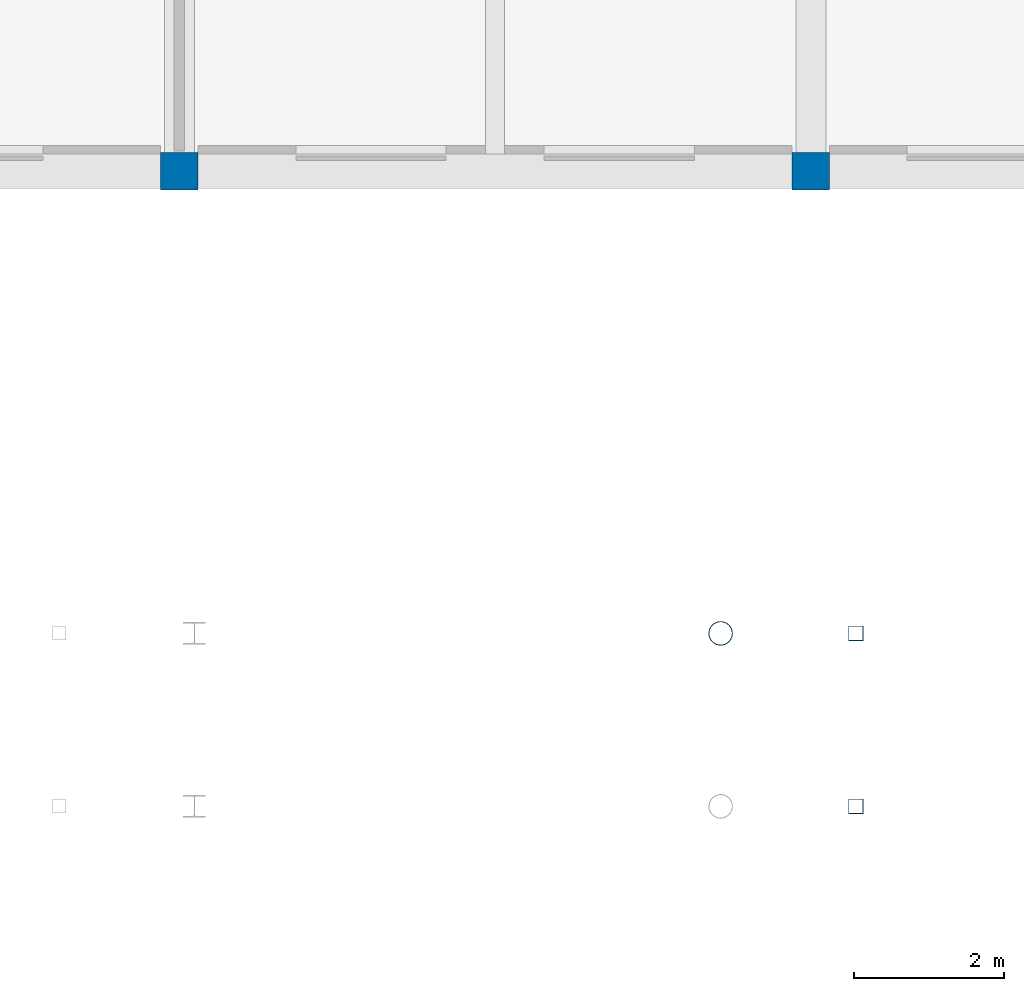
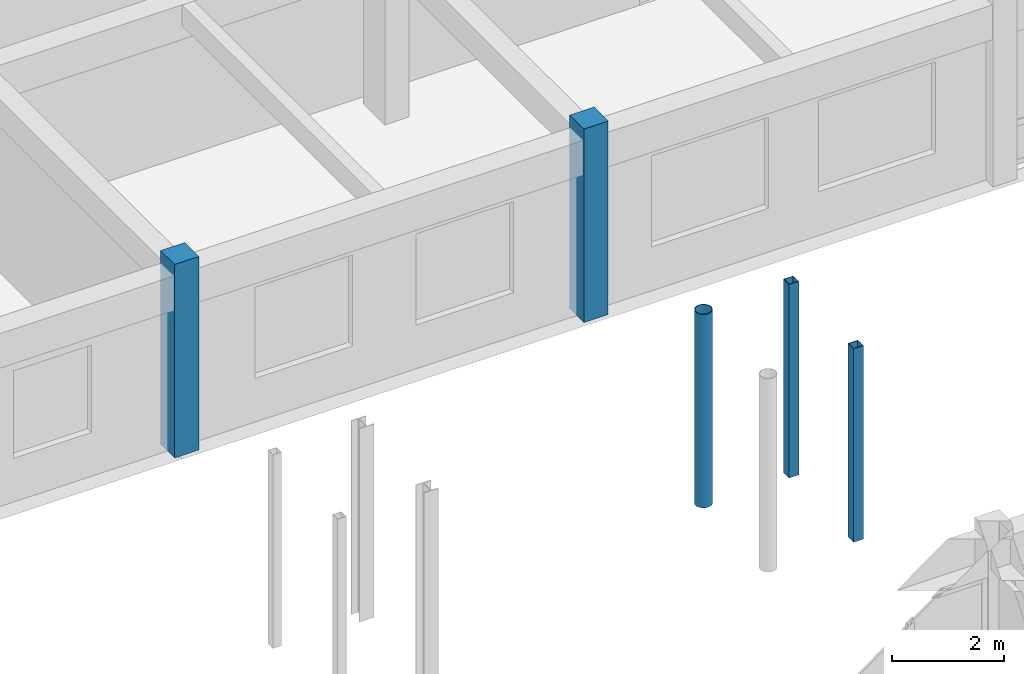
# One storey, part 10 of 90: 5 columns.
"""IFC4 building model written with IfcOpenShell, lengths in metres."""

from ifc_helpers import new_model, si_unit, direction, frame, origin, origin_2d, place, context, subcontext, project, spatial, rectangle, hollow_rectangle, hollow_circle, extrude, material, material_profile, profile_set, type_object, element, save


model = new_model("IFC4")

# Units and contexts
model_context = context("Model", 3, precision=1e-05, world=origin(), true_north=direction((0.0, 1.0)))
body_context = subcontext(model_context, "Body", "Model", "MODEL_VIEW")
ifc_project = project(units=[si_unit("LENGTHUNIT", "METRE"), si_unit("AREAUNIT", "SQUARE_METRE"), si_unit("VOLUMEUNIT", "CUBIC_METRE"), si_unit("PLANEANGLEUNIT", "RADIAN"), si_unit("MASSUNIT", "GRAM", prefix="KILO")], contexts=[model_context])

# Site, building, storey
site_placement = place(None, origin())
site = spatial("IfcSite", under=ifc_project, at=site_placement, CompositionType="ELEMENT")
building_placement = place(site_placement, origin())
building = spatial("IfcBuilding", under=site, at=building_placement, Name="Malvenik Polytechnic", CompositionType="ELEMENT")
storey_placement = place(building_placement, frame((0.0, 0.0, 9.300048828125)))
storey = spatial("IfcBuildingStorey", under=building, at=storey_placement, Name="L02", CompositionType="ELEMENT", Elevation=9.300048828125)

# Columns
ifc_material_1 = material(Name="Concrete C35/45", Category="concrete")
ifc_material_profile_1 = material_profile(ifc_material_1, rectangle(XDim=0.5, YDim=0.5, at=origin_2d()), Name="RC COL 500x500")
ifc_profile_set_1 = profile_set([ifc_material_profile_1], Name="Concrete C35/45")
column_type_1 = type_object("IfcColumnType", Name="STR-COL-C-08", PredefinedType="COLUMN", material=ifc_profile_set_1)
for number, where, z_axis, x_axis, name in (
    (1, (50.39990234375, 79.199951171875, 0.0), (0.0, 0.0, 1.0), (1.0, 0.0, 0.0), "Column C-08 L02 (50.4,79.2)"),
    (2, (58.800048828125, 79.199951171875, 0.0), (0.0, 0.0, 1.0), (1.0, 0.0, 0.0), "Column C-08 L02 (58.8,79.2)"),
):
    element("IfcColumn", number, at=place(storey_placement, frame(where, z_axis=z_axis, x_axis=x_axis)), inside=storey, type_object=column_type_1, Name=name, PredefinedType="COLUMN", context=body_context, shape_type="SweptSolid", body=[
        extrude(rectangle(XDim=0.5, YDim=0.5, at=origin_2d()), origin(), (0.0, 0.0, 1.0), 4.199951171875),
    ])
ifc_material_2 = material(Name="Steel S355J2H", Category="steel")
ifc_material_profile_2 = material_profile(ifc_material_2, hollow_rectangle(XDim=0.199951171875, YDim=0.199951171875, WallThickness=0.010009765625, at=origin_2d()), Name="SHS 200x200x10.0")
ifc_profile_set_2 = profile_set([ifc_material_profile_2], Name="Steel S355J2H")
column_type_2 = type_object("IfcColumnType", Name="STR-SCOL-SC-02", PredefinedType="COLUMN", material=ifc_profile_set_2)
for number, where, z_axis, x_axis, name in (
    (3, (59.39990234375, 70.75, 0.0), (0.0, 0.0, 1.0), (1.0, 0.0, 0.0), "Bridge-Ramp Support Column SC-02 L02"),
    (4, (59.39990234375, 73.050048828125, 0.0), (0.0, 0.0, 1.0), (1.0, 0.0, 0.0), "Bridge-Ramp Support Column SC-02 L02"),
):
    element("IfcColumn", number, at=place(storey_placement, frame(where, z_axis=z_axis, x_axis=x_axis)), inside=storey, type_object=column_type_2, Name=name, PredefinedType="COLUMN", context=body_context, shape_type="SweptSolid", body=[
        extrude(hollow_rectangle(XDim=0.199951171875, YDim=0.199951171875, WallThickness=0.010009765625, at=origin_2d()), origin(), (0.0, 0.0, 1.0), 4.199951171875),
    ])
ifc_material_profile_3 = material_profile(ifc_material_2, hollow_circle(Radius=0.161865234375, WallThickness=0.012451171875, at=origin_2d()), Name="CHS 323.9x12.5")
ifc_profile_set_3 = profile_set([ifc_material_profile_3], Name="Steel S355J2H")
column_type_3 = type_object("IfcColumnType", Name="STR-SCOL-SC-04", PredefinedType="COLUMN", material=ifc_profile_set_3)
column_placement = place(storey_placement, frame((57.60009765625, 73.050048828125, 0.0), z_axis=(0.0, 0.0, 1.0), x_axis=(1.0, 0.0, 0.0)))
element("IfcColumn", 5, at=column_placement, inside=storey, type_object=column_type_3, Name="Bridge-Ramp Support Column SC-04 L02", PredefinedType="COLUMN", context=body_context, shape_type="SweptSolid", body=[
    extrude(hollow_circle(Radius=0.161865234375, WallThickness=0.012451171875, at=origin_2d()), origin(), (0.0, 0.0, 1.0), 4.199951171875),
])

save(model, "model.ifc")
